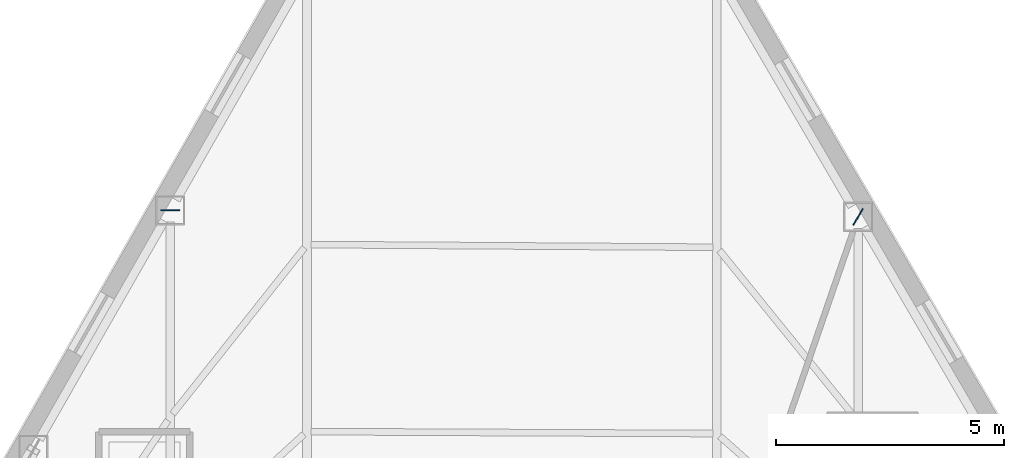
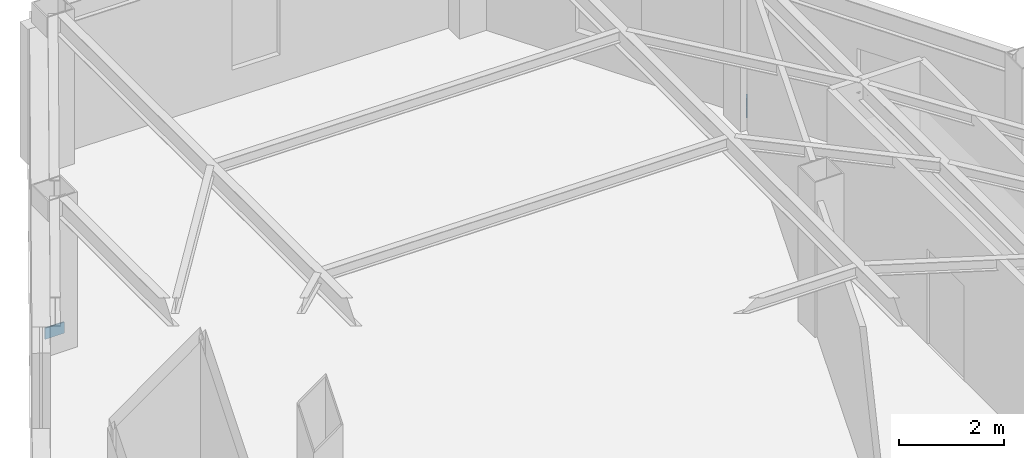
# One storey, part 6 of 10: 2 plates.
"""IFC4 building model written with IfcOpenShell, lengths in metres."""

from ifc_helpers import new_model, si_unit, direction, frame, origin, origin_2d, place, context, subcontext, project, spatial, rectangle, extrude, material, layer, layer_set, type_object, element, save


model = new_model("IFC4")

# Units and contexts
model_context = context("Model", 3, precision=1e-05, world=origin(), true_north=direction((0.0, 1.0)))
body_context = subcontext(model_context, "Body", "Model", "MODEL_VIEW")
ifc_project = project(units=[si_unit("LENGTHUNIT", "METRE"), si_unit("AREAUNIT", "SQUARE_METRE"), si_unit("VOLUMEUNIT", "CUBIC_METRE"), si_unit("PLANEANGLEUNIT", "RADIAN"), si_unit("MASSUNIT", "GRAM", prefix="KILO")], contexts=[model_context])

# Site, building, storey
site_placement = place(None, origin())
site = spatial("IfcSite", under=ifc_project, at=site_placement, CompositionType="ELEMENT")
building_placement = place(site_placement, origin())
building = spatial("IfcBuilding", under=site, at=building_placement, Name="Kavelnor Concourse Tower", CompositionType="ELEMENT")
storey_placement = place(building_placement, frame((0.0, 0.0, 180.39990234375)))
storey = spatial("IfcBuildingStorey", under=building, at=storey_placement, Name="L45", CompositionType="ELEMENT", Elevation=180.39990234375)

# Plates
ifc_material = material(Name="Steel Grade 350", Category="steel")
ifc_layer = layer(ifc_material, 0.02490234375, Name="Steel Grade 350")
ifc_layer_set = layer_set([ifc_layer], Name="Steel Grade 350")
plate_type = type_object("IfcPlateType", Name="PL-SPLICE-FLANGE", PredefinedType="SHEET", material=ifc_layer_set)
for number, where, z_axis, x_axis, name in (
    (1, (30.56591796875, 38.547119140625, 0.169921875), (0.0, 0.0, 1.0), (1.0, 0.0, 0.0), "L45 Column Flange Splice Plate F0-B1"),
    (2, (45.684326171875, 38.406005859375, 0.169921875), (0.0, 0.0, 1.0), (-0.5, -0.866025403784, 0.0), "L45 Column Flange Splice Plate F2-B5"),
):
    element("IfcPlate", number, at=place(storey_placement, frame(where, z_axis=z_axis, x_axis=x_axis)), inside=storey, type_object=plate_type, Name=name, PredefinedType="SHEET", context=body_context, shape_type="SweptSolid", body=[
        extrude(rectangle(XDim=0.419921875, YDim=0.02490234375, at=origin_2d()), origin(), (0.0, 0.0, 1.0), 0.260009765625),
    ])

save(model, "model.ifc")
